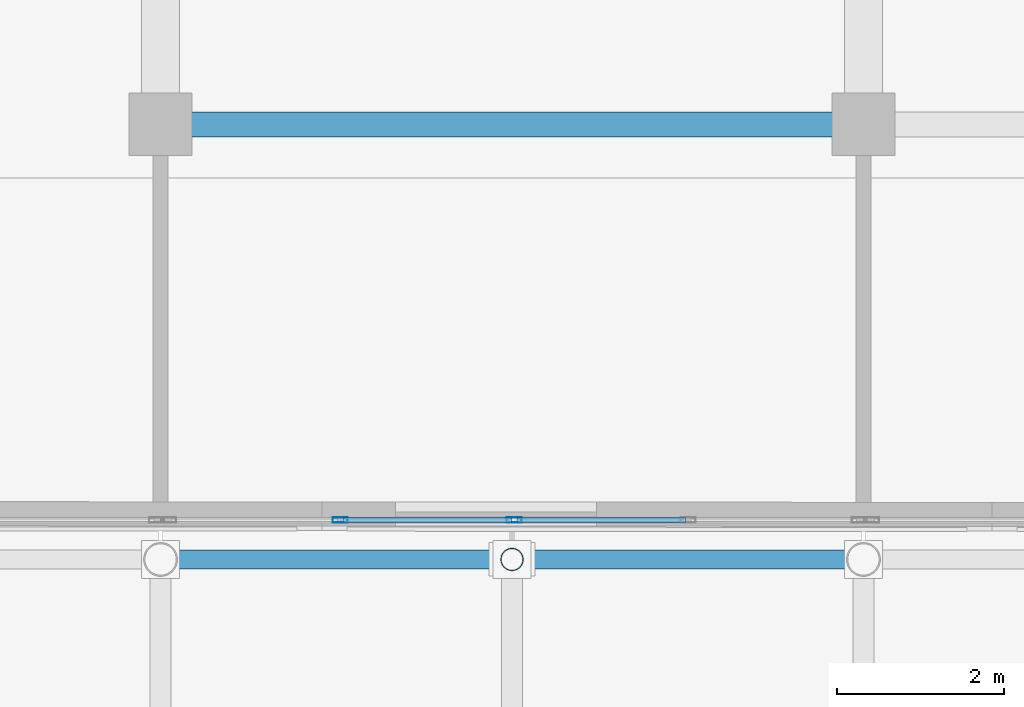
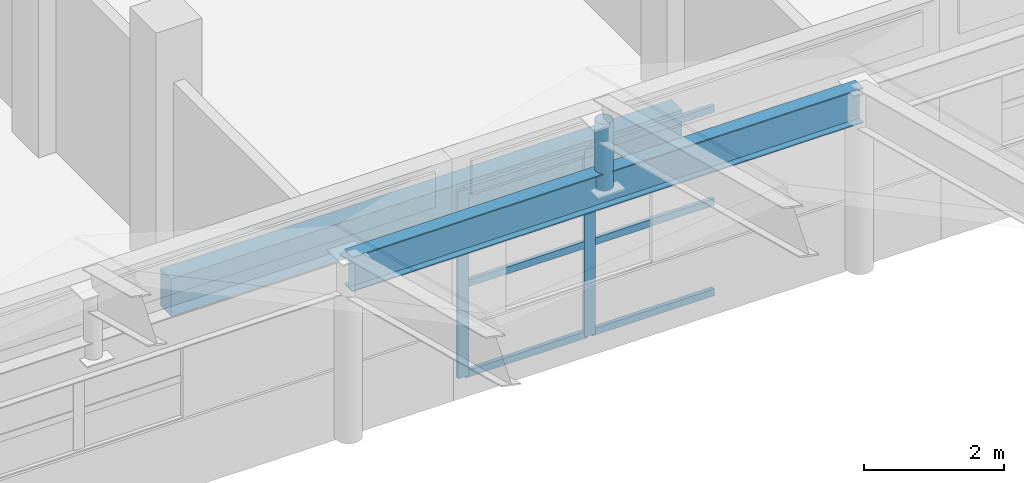
# One storey, part 79 of 184: 9 members, 2 beams, 1 element without a shape of its own.
"""IFC4 building model written with IfcOpenShell, lengths in metres."""

from ifc_helpers import new_model, si_unit, direction, frame, origin, origin_2d, place, context, subcontext, project, spatial, rectangle, hollow_rectangle, hollow_circle, i_section, extrude, material, material_profile, profile_set, type_object, element, aggregate, save


model = new_model("IFC4")

# Units and contexts
model_context = context("Model", 3, precision=1e-05, world=origin(), true_north=direction((0.0, 1.0)))
body_context = subcontext(model_context, "Body", "Model", "MODEL_VIEW")
ifc_project = project(units=[si_unit("LENGTHUNIT", "METRE"), si_unit("AREAUNIT", "SQUARE_METRE"), si_unit("VOLUMEUNIT", "CUBIC_METRE"), si_unit("PLANEANGLEUNIT", "RADIAN"), si_unit("MASSUNIT", "GRAM", prefix="KILO")], contexts=[model_context])

# Site, building, storey
site_placement = place(None, origin())
site = spatial("IfcSite", under=ifc_project, at=site_placement, CompositionType="ELEMENT")
building_placement = place(site_placement, origin())
building = spatial("IfcBuilding", under=site, at=building_placement, Name="Selatvlak General Hospital", CompositionType="ELEMENT")
storey_placement = place(building_placement, frame((0.0, 0.0, 15.0)))
storey = spatial("IfcBuildingStorey", under=building, at=storey_placement, Name="L03", CompositionType="ELEMENT", Elevation=15.0)

# Beams
ifc_material_1 = material(Name="Steel S355", Category="steel")
ifc_material_profile_1 = material_profile(ifc_material_1, i_section(OverallWidth=0.228271484375, OverallDepth=0.607666015625, WebThickness=0.010986328125, FlangeThickness=0.017333984375, at=origin_2d()), Name="UB 610x229x113")
ifc_profile_set_1 = profile_set([ifc_material_profile_1], Name="Steel S355")
beam_type_1 = type_object("IfcBeamType", Name="BM-RF4", PredefinedType="BEAM", material=ifc_profile_set_1)
beam_1_placement = place(storey_placement, frame((39.60009765625, 83.449951171875, 2.87109375), z_axis=(1.0, 0.0, 0.0), x_axis=(0.0, 1.0, 0.0)))
element("IfcBeam", 1, at=beam_1_placement, inside=storey, type_object=beam_type_1, Name="Folded roof N valley girder 3", PredefinedType="BEAM", context=body_context, shape_type="SweptSolid", body=[
    extrude(i_section(OverallWidth=0.228271484375, OverallDepth=0.607666015625, WebThickness=0.010986328125, FlangeThickness=0.017333984375, at=origin_2d()), origin(), (0.0, 0.0, 1.0), 8.39990234375),
])
ifc_material_2 = material(Name="Concrete C40/50", Category="concrete")
ifc_material_profile_2 = material_profile(ifc_material_2, rectangle(XDim=0.300048828125, YDim=0.64990234375, at=origin_2d()), Name="RC-SP 300x650")
ifc_profile_set_2 = profile_set([ifc_material_profile_2], Name="Concrete C40/50")
beam_type_2 = type_object("IfcBeamType", Name="BM-SP1", PredefinedType="SPANDREL", material=ifc_profile_set_2)
beam_2_placement = place(storey_placement, frame((39.60009765625, 88.64990234375, -0.6650390625), z_axis=(1.0, 0.0, 0.0), x_axis=(0.0, 1.0, 0.0)))
element("IfcBeam", 2, at=beam_2_placement, inside=storey, type_object=beam_type_2, Name="Beam BMR-L03-1185", PredefinedType="SPANDREL", context=body_context, shape_type="SweptSolid", body=[
    extrude(rectangle(XDim=0.300048828125, YDim=0.64990234375, at=origin_2d()), origin(), (0.0, 0.0, 1.0), 8.39990234375),
])

# Curtain wall, members
ifc_material_3 = material(Name="Solar-control Low-E double glazing", Category="glass")
curtain_wall_type = type_object("IfcCurtainWallType", Name="CW-CW-04", PredefinedType="USERDEFINED", material=ifc_material_3)
curtain_wall_placement = place(storey_placement, origin())
curtain_wall = element("IfcCurtainWall", 3, at=curtain_wall_placement, inside=storey, type_object=curtain_wall_type, Name="Glazed facade curtain wall CW-L03-0718", ObjectType="STICK GLAZING WALL", PredefinedType="USERDEFINED")
ifc_material_4 = material(Name="Dark anodised aluminium mullion", Category="aluminium")
ifc_material_profile_3 = material_profile(ifc_material_4, hollow_rectangle(XDim=0.06494140625, YDim=0.179931640625, WallThickness=0.00439453125, at=origin_2d()), Name="AL-MUL 65x180x4.5")
ifc_profile_set_3 = profile_set([ifc_material_profile_3], Name="Dark anodised aluminium mullion")
member_type_1 = type_object("IfcMemberType", Name="CWM-02", PredefinedType="MULLION", material=ifc_profile_set_3)
member_1_placement = place(storey_placement, frame((41.7451171875, 83.919921875, 0.0), z_axis=(0.0, 0.0, 1.0), x_axis=(0.0, 1.0, 0.0)))
member_1 = element("IfcMember", 4, at=member_1_placement, type_object=member_type_1, Name="CW-04 mullion 2", PredefinedType="MULLION", context=body_context, shape_type="SweptSolid", body=[
    extrude(hollow_rectangle(XDim=0.06494140625, YDim=0.179931640625, WallThickness=0.00439453125, at=origin_2d()), origin(), (0.0, 0.0, 1.0), 3.25),
])
member_2_placement = place(storey_placement, frame((43.824951171875, 83.919921875, 0.0), z_axis=(0.0, 0.0, 1.0), x_axis=(0.0, 1.0, 0.0)))
member_2 = element("IfcMember", 5, at=member_2_placement, type_object=member_type_1, Name="CW-04 mullion 3", PredefinedType="MULLION", context=body_context, shape_type="SweptSolid", body=[
    extrude(hollow_rectangle(XDim=0.06494140625, YDim=0.179931640625, WallThickness=0.00439453125, at=origin_2d()), origin(), (0.0, 0.0, 1.0), 3.25),
])
ifc_material_profile_4 = material_profile(ifc_material_4, hollow_rectangle(XDim=0.06494140625, YDim=0.1201171875, WallThickness=0.00390625, at=origin_2d()), Name="AL-TRN 65x120x4")
ifc_profile_set_4 = profile_set([ifc_material_profile_4], Name="Dark anodised aluminium mullion")
member_type_2 = type_object("IfcMemberType", Name="CWT-01", PredefinedType="USERDEFINED", material=ifc_profile_set_4)
member_3_placement = place(storey_placement, frame((41.777587890625, 83.919921875, 0.032470703125), z_axis=(1.0, 0.0, 0.0), x_axis=(0.0, 1.0, 0.0)))
member_3 = element("IfcMember", 6, at=member_3_placement, type_object=member_type_2, Name="CW-04 transom 2.1", ObjectType="TRANSOM", PredefinedType="USERDEFINED", context=body_context, shape_type="SweptSolid", body=[
    extrude(hollow_rectangle(XDim=0.06494140625, YDim=0.1201171875, WallThickness=0.00390625, at=origin_2d()), origin(), (0.0, 0.0, 1.0), 2.014892578125),
])
member_4_placement = place(storey_placement, frame((41.777587890625, 83.919921875, 1.60009765625), z_axis=(1.0, 0.0, 0.0), x_axis=(0.0, 1.0, 0.0)))
member_4 = element("IfcMember", 7, at=member_4_placement, type_object=member_type_2, Name="CW-04 transom 2.2", ObjectType="TRANSOM", PredefinedType="USERDEFINED", context=body_context, shape_type="SweptSolid", body=[
    extrude(hollow_rectangle(XDim=0.06494140625, YDim=0.1201171875, WallThickness=0.00390625, at=origin_2d()), origin(), (0.0, 0.0, 1.0), 2.014892578125),
])
member_5_placement = place(storey_placement, frame((41.777587890625, 83.919921875, 3.217529296875), z_axis=(1.0, 0.0, 0.0), x_axis=(0.0, 1.0, 0.0)))
member_5 = element("IfcMember", 8, at=member_5_placement, type_object=member_type_2, Name="CW-04 transom 2.3", ObjectType="TRANSOM", PredefinedType="USERDEFINED", context=body_context, shape_type="SweptSolid", body=[
    extrude(hollow_rectangle(XDim=0.06494140625, YDim=0.1201171875, WallThickness=0.00390625, at=origin_2d()), origin(), (0.0, 0.0, 1.0), 2.014892578125),
])
member_6_placement = place(storey_placement, frame((43.857421875, 83.919921875, 0.032470703125), z_axis=(1.0, 0.0, 0.0), x_axis=(0.0, 1.0, 0.0)))
member_6 = element("IfcMember", 9, at=member_6_placement, type_object=member_type_2, Name="CW-04 transom 3.1", ObjectType="TRANSOM", PredefinedType="USERDEFINED", context=body_context, shape_type="SweptSolid", body=[
    extrude(hollow_rectangle(XDim=0.06494140625, YDim=0.1201171875, WallThickness=0.00390625, at=origin_2d()), origin(), (0.0, 0.0, 1.0), 2.01513671875),
])
member_7_placement = place(storey_placement, frame((43.857421875, 83.919921875, 1.60009765625), z_axis=(1.0, 0.0, 0.0), x_axis=(0.0, 1.0, 0.0)))
member_7 = element("IfcMember", 10, at=member_7_placement, type_object=member_type_2, Name="CW-04 transom 3.2", ObjectType="TRANSOM", PredefinedType="USERDEFINED", context=body_context, shape_type="SweptSolid", body=[
    extrude(hollow_rectangle(XDim=0.06494140625, YDim=0.1201171875, WallThickness=0.00390625, at=origin_2d()), origin(), (0.0, 0.0, 1.0), 2.01513671875),
])
member_8_placement = place(storey_placement, frame((43.857421875, 83.919921875, 3.217529296875), z_axis=(1.0, 0.0, 0.0), x_axis=(0.0, 1.0, 0.0)))
member_8 = element("IfcMember", 11, at=member_8_placement, type_object=member_type_2, Name="CW-04 transom 3.3", ObjectType="TRANSOM", PredefinedType="USERDEFINED", context=body_context, shape_type="SweptSolid", body=[
    extrude(hollow_rectangle(XDim=0.06494140625, YDim=0.1201171875, WallThickness=0.00390625, at=origin_2d()), origin(), (0.0, 0.0, 1.0), 2.01513671875),
])
aggregate(curtain_wall, [member_1, member_2, member_3, member_4, member_5, member_6, member_7, member_8])

# Member
ifc_material_profile_5 = material_profile(ifc_material_1, hollow_circle(Radius=0.136474609375, WallThickness=0.010009765625, at=origin_2d()), Name="CHS 273.0x10")
ifc_profile_set_5 = profile_set([ifc_material_profile_5], Name="Steel S355")
member_type_3 = type_object("IfcMemberType", Name="MEM-ST1", PredefinedType="STRUT", material=ifc_profile_set_5)
member_9_placement = place(storey_placement, frame((43.800048828125, 83.449951171875, 2.87109375), z_axis=(0.0, 0.0, 1.0), x_axis=(1.0, 0.0, 0.0)))
element("IfcMember", 12, at=member_9_placement, inside=storey, type_object=member_type_3, Name="Folded roof ridge kingpost N-5", PredefinedType="STRUT", context=body_context, shape_type="SweptSolid", body=[
    extrude(hollow_circle(Radius=0.136474609375, WallThickness=0.010009765625, at=origin_2d()), origin(), (0.0, 0.0, 1.0), 1.161865234375),
])

save(model, "model.ifc")
